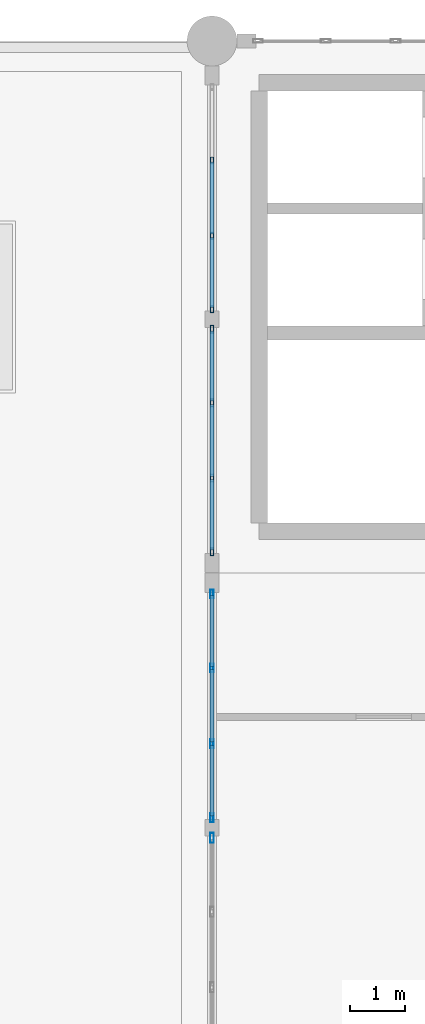
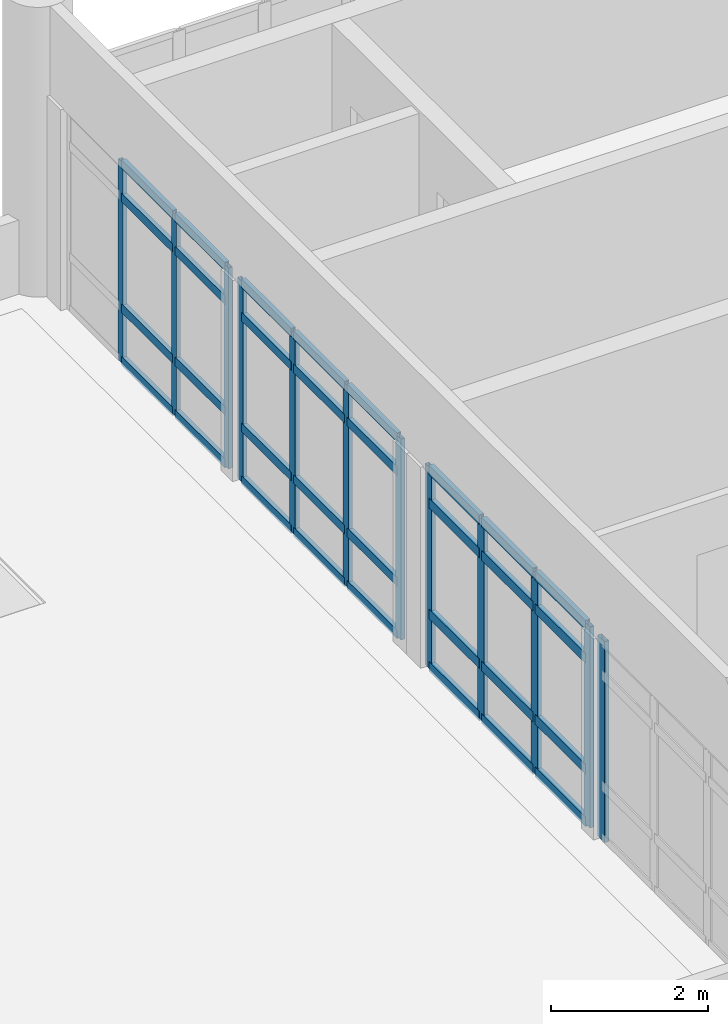
# One storey, part 4 of 37: 44 members, 4 elements without a shape of their own.
"""IFC4 building model written with IfcOpenShell, lengths in metres."""

import ifcopenshell
import ifcopenshell.guid

model = None  # the IFC model being written
_history = None  # IfcOwnerHistory: only IFC2X3 demands one
_inside = {}  # id of a spatial element -> (the spatial element, [elements in it])
_under = {}  # id of a project, library or spatial element -> (it, [spatial elements below it])
_declared = {}  # id of a project -> (the project, [libraries it declares])
_typed = {}  # id of a type object -> (the type object, [elements of that type])
_made_of = {}  # id of a material, layer set ... -> (it, [elements and type objects made of it])


def new_model(schema):
    """Start an empty IFC model of exactly this schema.

    Asked for "IFC4X3", IfcOpenShell would pick the latest addendum, in which some entities
    have other attributes; the version numbers below select the first issue.
    IFC2X3 requires an IfcOwnerHistory on every rooted entity: one is made here for all.
    """
    global model, _history
    if schema == "IFC4X3":
        model = ifcopenshell.file(schema_version=(4, 3, 0, 0))
    else:
        model = ifcopenshell.file(schema=schema)
    _inside.clear()
    _under.clear()
    _declared.clear()
    _typed.clear()
    _made_of.clear()
    _history = None
    if model.schema == "IFC2X3":
        org = make("IfcOrganization", Name="unknown")
        user = make(
            "IfcPersonAndOrganization",
            ThePerson=make("IfcPerson", FamilyName="unknown"),
            TheOrganization=org,
        )
        app = make(
            "IfcApplication",
            ApplicationDeveloper=org,
            Version="unknown",
            ApplicationFullName="unknown",
            ApplicationIdentifier="unknown",
        )
        _history = make(
            "IfcOwnerHistory",
            OwningUser=user,
            OwningApplication=app,
            ChangeAction="ADDED",
            CreationDate=0,
        )
    return model


def make(cls, **values):
    """One entity of the class cls with the attributes given. An attribute that is None is left unset."""
    return model.create_entity(
        cls, **{name: value for name, value in values.items() if value is not None}
    )


def rooted(cls, **values):
    """An entity with a GlobalId (a new one), such as an element, a storey or a relation."""
    return make(cls, GlobalId=ifcopenshell.guid.new(), OwnerHistory=_history, **values)


def si_unit(unit_type, name, prefix=None):
    """IfcSIUnit, for example si_unit("LENGTHUNIT", "METRE", prefix="MILLI")."""
    return make("IfcSIUnit", UnitType=unit_type, Prefix=prefix, Name=name)


def assignment(units):
    """IfcUnitAssignment: the units of a project."""
    return None if units is None else make("IfcUnitAssignment", Units=units)


def point(xyz):
    """IfcCartesianPoint."""
    return None if xyz is None else make("IfcCartesianPoint", Coordinates=xyz)


def direction(xyz):
    """IfcDirection."""
    return None if xyz is None else make("IfcDirection", DirectionRatios=xyz)


def frame(location, z_axis=None, x_axis=None):
    """IfcAxis2Placement3D, a coordinate frame: its origin and axes. An axis left out is left unset."""
    return make(
        "IfcAxis2Placement3D",
        Location=point(location),
        Axis=direction(z_axis),
        RefDirection=direction(x_axis),
    )


def frame_2d(location, x_axis=None):
    """IfcAxis2Placement2D, a coordinate frame in the plane: its origin and x axis."""
    return make(
        "IfcAxis2Placement2D", Location=point(location), RefDirection=direction(x_axis)
    )


def origin():
    """The frame at (0, 0, 0) with its axes left unset."""
    return frame((0.0, 0.0, 0.0))


def origin_2d():
    """The frame at (0, 0) in the plane with its x axis left unset."""
    return frame_2d((0.0, 0.0))


def place(relative_to, where):
    """IfcLocalPlacement: puts the frame where relative to a parent placement (None: the world)."""
    return make(
        "IfcLocalPlacement", PlacementRelTo=relative_to, RelativePlacement=where
    )


def context(
    kind, dimensions, precision=None, world=None, true_north=None, identifier=None
):
    """IfcGeometricRepresentationContext, for example the 3D "Model" context."""
    return make(
        "IfcGeometricRepresentationContext",
        ContextIdentifier=identifier,
        ContextType=kind,
        CoordinateSpaceDimension=dimensions,
        Precision=precision,
        WorldCoordinateSystem=world,
        TrueNorth=true_north,
    )


def subcontext(parent, identifier, kind, view, scale=None):
    """IfcGeometricRepresentationSubContext, for example "Body" below "Model"."""
    return make(
        "IfcGeometricRepresentationSubContext",
        ContextIdentifier=identifier,
        ContextType=kind,
        ParentContext=parent,
        TargetScale=scale,
        TargetView=view,
    )


def project(units=None, contexts=None):
    """IfcProject with its units and contexts."""
    return rooted(
        "IfcProject",
        Name="project",
        RepresentationContexts=contexts,
        UnitsInContext=assignment(units),
    )


def spatial(cls, under=None, at=None, **own):
    """A site, building, storey or space (cls), placed at a placement, below another one or the project."""
    s = rooted(cls, ObjectPlacement=at, **own)
    if under is not None:
        _under.setdefault(under.id(), (under, []))[1].append(s)
    return s


def profile(cls, at=None, kind="AREA", **sizes):
    """A parametric profile (cls). Its sizes go by their IFC names, for example OverallWidth=200.0."""
    return make(cls, ProfileType=kind, Position=at, **sizes)


def hollow_rectangle(**sizes):
    """IfcRectangleHollowProfileDef."""
    return profile("IfcRectangleHollowProfileDef", **sizes)


def extrude(swept, where, along, depth):
    """IfcExtrudedAreaSolid: the profile swept, set in the frame where, extruded along a direction by depth."""
    return make(
        "IfcExtrudedAreaSolid",
        SweptArea=swept,
        Position=where,
        ExtrudedDirection=direction(along),
        Depth=depth,
    )


def shape(context_of_items, identifier, shape_type, items):
    """IfcShapeRepresentation: the items that make up one representation, for example the "Body"."""
    return make(
        "IfcShapeRepresentation",
        ContextOfItems=context_of_items,
        RepresentationIdentifier=identifier,
        RepresentationType=shape_type,
        Items=items,
    )


def material(Name=None, Category=None):
    """IfcMaterial."""
    return make("IfcMaterial", Name=Name, Category=Category)


def layer(
    of_material, thickness, ventilated=None, Name=None, Category=None, Priority=None
):
    """IfcMaterialLayer: one layer of a wall or slab, of a material (None: an air gap)."""
    return make(
        "IfcMaterialLayer",
        Material=of_material,
        LayerThickness=thickness,
        IsVentilated=ventilated,
        Name=Name,
        Category=Category,
        Priority=Priority,
    )


def layer_set(layers, Name=None):
    """IfcMaterialLayerSet."""
    return make("IfcMaterialLayerSet", MaterialLayers=layers, LayerSetName=Name)


def material_profile(
    of_material, cross_section, Name=None, Category=None, Priority=None
):
    """IfcMaterialProfile: a cross section and its material."""
    return make(
        "IfcMaterialProfile",
        Name=Name,
        Material=of_material,
        Profile=cross_section,
        Priority=Priority,
        Category=Category,
    )


def profile_set(profiles, Name=None, composite=None):
    """IfcMaterialProfileSet."""
    return make(
        "IfcMaterialProfileSet",
        Name=Name,
        MaterialProfiles=profiles,
        CompositeProfile=composite,
    )


def made_of(thing, what):
    """Note that an element or type object is made of a material, layer set ...; save() writes the relation."""
    if what is not None:
        _made_of.setdefault(what.id(), (what, []))[1].append(thing)
    return thing


def type_object(cls, material=None, **own):
    """A type object (cls), such as IfcWallType, which elements share."""
    return made_of(rooted(cls, **own), material)


def element(
    cls,
    number,
    at=None,
    inside=None,
    cuts=None,
    type_object=None,
    material=None,
    context=None,
    identifier="Body",
    shape_type=None,
    held_by="IfcProductDefinitionShape",
    body=None,
    shapes=None,
    **own,
):
    """One element of the class cls, such as IfcWall. Its Tag is "e" and its number.

    at: its placement. inside: the storey or other place that contains it. cuts: it is an
    opening in that element (IfcRelVoidsElement). A single representation is given by context,
    identifier, shape_type and body (its items); several are given by shapes. held_by: the class
    of the entity that holds the representations. save() writes the other relations.
    """
    e = rooted(cls, Tag="e%d" % number, ObjectPlacement=at, **own)
    if body is not None:
        shapes = [shape(context, identifier, shape_type, body)]
    if shapes is not None:
        e.Representation = make(held_by, Representations=shapes)
    if inside is not None:
        _inside.setdefault(inside.id(), (inside, []))[1].append(e)
    if cuts is not None:
        rooted(
            "IfcRelVoidsElement", RelatingBuildingElement=cuts, RelatedOpeningElement=e
        )
    if type_object is not None:
        _typed.setdefault(type_object.id(), (type_object, []))[1].append(e)
    return made_of(e, material)


def aggregate(whole, parts):
    """IfcRelAggregates: a whole, such as a stair, and the parts it consists of."""
    return rooted("IfcRelAggregates", RelatingObject=whole, RelatedObjects=parts)


def save(model, path):
    """Write the relations noted so far, then the file.

    IfcRelAggregates (storeys below a building ...), IfcRelContainedInSpatialStructure (elements
    in a storey), IfcRelDefinesByType, IfcRelAssociatesMaterial and IfcRelDeclares: one each for
    every whole, place, type object, material and project.
    """
    for whole, parts in _under.values():
        aggregate(whole, parts)
    for where, things in _inside.values():
        rooted(
            "IfcRelContainedInSpatialStructure",
            RelatedElements=things,
            RelatingStructure=where,
        )
    for kind, things in _typed.values():
        rooted("IfcRelDefinesByType", RelatedObjects=things, RelatingType=kind)
    for what, things in _made_of.values():
        rooted("IfcRelAssociatesMaterial", RelatedObjects=things, RelatingMaterial=what)
    for by, libraries in _declared.values():
        rooted("IfcRelDeclares", RelatingContext=by, RelatedDefinitions=libraries)
    model.write(path)


model = new_model("IFC4")

# Units and contexts
model_context = context("Model", 3, precision=1e-05, world=origin(), true_north=direction((0.0, 1.0)))
body_context = subcontext(model_context, "Body", "Model", "MODEL_VIEW")
ifc_project = project(units=[si_unit("LENGTHUNIT", "METRE"), si_unit("AREAUNIT", "SQUARE_METRE"), si_unit("VOLUMEUNIT", "CUBIC_METRE"), si_unit("PLANEANGLEUNIT", "RADIAN"), si_unit("MASSUNIT", "GRAM", prefix="KILO")], contexts=[model_context])

# Site, building, storey
site_placement = place(None, origin())
site = spatial("IfcSite", under=ifc_project, at=site_placement, CompositionType="ELEMENT")
building_placement = place(site_placement, origin())
building = spatial("IfcBuilding", under=site, at=building_placement, Name="Fikremerkos Civic Library", CompositionType="ELEMENT")
storey_placement = place(building_placement, frame((0.0, 0.0, 23.39990234375)))
storey = spatial("IfcBuildingStorey", under=building, at=storey_placement, Name="L05", CompositionType="ELEMENT", Elevation=23.39990234375)

# Curtain wall, member
ifc_material = material(Name="Anodized aluminium Frame", Category="aluminium")
ifc_layer_1 = layer(ifc_material, 0.159912109375, Name="Anodized aluminium Frame")
ifc_layer_set_1 = layer_set([ifc_layer_1], Name="Anodized aluminium Frame")
curtain_wall_type_1 = type_object("IfcCurtainWallType", Name="Unitised curtain wall CW-01 3600x3600", PredefinedType="USERDEFINED", material=ifc_layer_set_1)
curtain_wall_1_placement = place(storey_placement, origin())
curtain_wall_1 = element("IfcCurtainWall", 1, at=curtain_wall_1_placement, inside=storey, type_object=curtain_wall_type_1, Name="Unitised curtain wall CW-01 L05 #253", ObjectType="UNITISED CURTAIN WALL", PredefinedType="USERDEFINED")
ifc_material_profile_1 = material_profile(ifc_material, hollow_rectangle(XDim=0.06494140625, YDim=0.179931640625, WallThickness=0.00439453125, at=origin_2d()), Name="ALU 180x65x4.5")
ifc_profile_set_1 = profile_set([ifc_material_profile_1], Name="Anodized aluminium Frame")
member_type_1 = type_object("IfcMemberType", Name="Curtain mullion CWM-01 ALU 180x65x4.5", PredefinedType="MULLION", material=ifc_profile_set_1)
member_1_placement = place(storey_placement, frame((19.199951171875, 16.8154296875, 0.0), z_axis=(0.0, 0.0, 1.0), x_axis=(-1.0, 0.0, 0.0)))
member_1 = element("IfcMember", 2, at=member_1_placement, type_object=member_type_1, Name="CW-01 mullion 4", PredefinedType="MULLION", context=body_context, shape_type="SweptSolid", body=[
    extrude(hollow_rectangle(XDim=0.06494140625, YDim=0.179931640625, WallThickness=0.00439453125, at=origin_2d()), origin(), (0.0, 0.0, 1.0), 3.1201171875),
])
aggregate(curtain_wall_1, [member_1])

# Curtain wall, members
ifc_layer_2 = layer(ifc_material, 0.159912109375, Name="Anodized aluminium Frame")
ifc_layer_set_2 = layer_set([ifc_layer_2], Name="Anodized aluminium Frame")
curtain_wall_type_2 = type_object("IfcCurtainWallType", Name="Unitised curtain wall CW-02 3900x3600", PredefinedType="USERDEFINED", material=ifc_layer_set_2)
curtain_wall_2_placement = place(storey_placement, origin())
curtain_wall_2 = element("IfcCurtainWall", 3, at=curtain_wall_2_placement, inside=storey, type_object=curtain_wall_type_2, Name="Unitised curtain wall CW-02 L05 #254", ObjectType="UNITISED CURTAIN WALL", PredefinedType="USERDEFINED")
ifc_material_profile_2 = material_profile(ifc_material, hollow_rectangle(XDim=0.06005859375, YDim=0.159912109375, WallThickness=0.00390625, at=origin_2d()), Name="ALU 160x60x4")
ifc_profile_set_2 = profile_set([ifc_material_profile_2], Name="Anodized aluminium Frame")
member_type_2 = type_object("IfcMemberType", Name="Curtain mullion CWM-02 ALU 160x60x4", PredefinedType="MULLION", material=ifc_profile_set_2)
member_2_placement = place(storey_placement, frame((19.199951171875, 17.177978515625, 0.0), z_axis=(0.0, 0.0, 1.0), x_axis=(-1.0, 0.0, 0.0)))
member_2 = element("IfcMember", 4, at=member_2_placement, type_object=member_type_2, Name="CW-02 mullion 1", PredefinedType="MULLION", context=body_context, shape_type="SweptSolid", body=[
    extrude(hollow_rectangle(XDim=0.06005859375, YDim=0.159912109375, WallThickness=0.00390625, at=origin_2d()), origin(), (0.0, 0.0, 1.0), 3.1201171875),
])
member_3_placement = place(storey_placement, frame((19.199951171875, 18.5146484375, 0.0), z_axis=(0.0, 0.0, 1.0), x_axis=(-1.0, 0.0, 0.0)))
member_3 = element("IfcMember", 5, at=member_3_placement, type_object=member_type_2, Name="CW-02 mullion 2", PredefinedType="MULLION", context=body_context, shape_type="SweptSolid", body=[
    extrude(hollow_rectangle(XDim=0.06005859375, YDim=0.159912109375, WallThickness=0.00390625, at=origin_2d()), origin(), (0.0, 0.0, 1.0), 3.1201171875),
])
member_4_placement = place(storey_placement, frame((19.199951171875, 19.88134765625, 0.0), z_axis=(0.0, 0.0, 1.0), x_axis=(-1.0, 0.0, 0.0)))
member_4 = element("IfcMember", 6, at=member_4_placement, type_object=member_type_2, Name="CW-02 mullion 3", PredefinedType="MULLION", context=body_context, shape_type="SweptSolid", body=[
    extrude(hollow_rectangle(XDim=0.06005859375, YDim=0.159912109375, WallThickness=0.00390625, at=origin_2d()), origin(), (0.0, 0.0, 1.0), 3.1201171875),
])
member_5_placement = place(storey_placement, frame((19.199951171875, 21.218017578125, 0.0), z_axis=(0.0, 0.0, 1.0), x_axis=(-1.0, 0.0, 0.0)))
member_5 = element("IfcMember", 7, at=member_5_placement, type_object=member_type_2, Name="CW-02 mullion 4", PredefinedType="MULLION", context=body_context, shape_type="SweptSolid", body=[
    extrude(hollow_rectangle(XDim=0.06005859375, YDim=0.159912109375, WallThickness=0.00390625, at=origin_2d()), origin(), (0.0, 0.0, 1.0), 3.1201171875),
])

ifc_layer_3 = layer(ifc_material, 0.159912109375, Name="Anodized aluminium Frame")
ifc_layer_set_3 = layer_set([ifc_layer_3], Name="Anodized aluminium Frame")
curtain_wall_type_3 = type_object("IfcCurtainWallType", Name="Unitised curtain wall CW-03 4100x3600", PredefinedType="USERDEFINED", material=ifc_layer_set_3)
curtain_wall_3_placement = place(storey_placement, origin())
curtain_wall_3 = element("IfcCurtainWall", 8, at=curtain_wall_3_placement, inside=storey, type_object=curtain_wall_type_3, Name="Unitised curtain wall CW-03 L05 #255", ObjectType="UNITISED CURTAIN WALL", PredefinedType="USERDEFINED")
ifc_material_profile_3 = material_profile(ifc_material, hollow_rectangle(XDim=0.06005859375, YDim=0.139892578125, WallThickness=0.00390625, at=origin_2d()), Name="ALU 140x60x4")
ifc_profile_set_3 = profile_set([ifc_material_profile_3], Name="Anodized aluminium Frame")
member_type_3 = type_object("IfcMemberType", Name="Curtain mullion CWM-03 ALU 140x60x4", PredefinedType="MULLION", material=ifc_profile_set_3)
member_6_placement = place(storey_placement, frame((19.199951171875, 21.98193359375, 0.0), z_axis=(0.0, 0.0, 1.0), x_axis=(-1.0, 0.0, 0.0)))
member_6 = element("IfcMember", 9, at=member_6_placement, type_object=member_type_3, Name="CW-03 mullion 1", PredefinedType="MULLION", context=body_context, shape_type="SweptSolid", body=[
    extrude(hollow_rectangle(XDim=0.06005859375, YDim=0.139892578125, WallThickness=0.00390625, at=origin_2d()), origin(), (0.0, 0.0, 1.0), 3.1201171875),
])
member_7_placement = place(storey_placement, frame((19.199951171875, 23.310302734375, 0.0), z_axis=(0.0, 0.0, 1.0), x_axis=(-1.0, 0.0, 0.0)))
member_7 = element("IfcMember", 10, at=member_7_placement, type_object=member_type_3, Name="CW-03 mullion 2", PredefinedType="MULLION", context=body_context, shape_type="SweptSolid", body=[
    extrude(hollow_rectangle(XDim=0.06005859375, YDim=0.139892578125, WallThickness=0.00390625, at=origin_2d()), origin(), (0.0, 0.0, 1.0), 3.1201171875),
])
member_8_placement = place(storey_placement, frame((19.199951171875, 24.668701171875, 0.0), z_axis=(0.0, 0.0, 1.0), x_axis=(-1.0, 0.0, 0.0)))
member_8 = element("IfcMember", 11, at=member_8_placement, type_object=member_type_3, Name="CW-03 mullion 3", PredefinedType="MULLION", context=body_context, shape_type="SweptSolid", body=[
    extrude(hollow_rectangle(XDim=0.06005859375, YDim=0.139892578125, WallThickness=0.00390625, at=origin_2d()), origin(), (0.0, 0.0, 1.0), 3.1201171875),
])
member_9_placement = place(storey_placement, frame((19.199951171875, 25.9970703125, 0.0), z_axis=(0.0, 0.0, 1.0), x_axis=(-1.0, 0.0, 0.0)))
member_9 = element("IfcMember", 12, at=member_9_placement, type_object=member_type_3, Name="CW-03 mullion 4", PredefinedType="MULLION", context=body_context, shape_type="SweptSolid", body=[
    extrude(hollow_rectangle(XDim=0.06005859375, YDim=0.139892578125, WallThickness=0.00390625, at=origin_2d()), origin(), (0.0, 0.0, 1.0), 3.1201171875),
])

ifc_layer_4 = layer(ifc_material, 0.159912109375, Name="Anodized aluminium Frame")
ifc_layer_set_4 = layer_set([ifc_layer_4], Name="Anodized aluminium Frame")
curtain_wall_type_4 = type_object("IfcCurtainWallType", Name="Unitised curtain wall CW-04 3400x3600", PredefinedType="USERDEFINED", material=ifc_layer_set_4)
curtain_wall_4_placement = place(storey_placement, origin())
curtain_wall_4 = element("IfcCurtainWall", 13, at=curtain_wall_4_placement, inside=storey, type_object=curtain_wall_type_4, Name="Unitised curtain wall CW-04 L05 #256", ObjectType="UNITISED CURTAIN WALL", PredefinedType="USERDEFINED")
ifc_material_profile_4 = material_profile(ifc_material, hollow_rectangle(XDim=0.06005859375, YDim=0.1201171875, WallThickness=0.00390625, at=origin_2d()), Name="ALU 120x60x4")
ifc_profile_set_4 = profile_set([ifc_material_profile_4], Name="Anodized aluminium Frame")
member_type_4 = type_object("IfcMemberType", Name="Curtain mullion CWM-04 ALU 120x60x4", PredefinedType="MULLION", material=ifc_profile_set_4)
member_10_placement = place(storey_placement, frame((19.199951171875, 26.35693359375, 0.0), z_axis=(0.0, 0.0, 1.0), x_axis=(-1.0, 0.0, 0.0)))
member_10 = element("IfcMember", 14, at=member_10_placement, type_object=member_type_4, Name="CW-04 mullion 1", PredefinedType="MULLION", context=body_context, shape_type="SweptSolid", body=[
    extrude(hollow_rectangle(XDim=0.06005859375, YDim=0.1201171875, WallThickness=0.00390625, at=origin_2d()), origin(), (0.0, 0.0, 1.0), 3.1201171875),
])
member_11_placement = place(storey_placement, frame((19.199951171875, 27.685302734375, 0.0), z_axis=(0.0, 0.0, 1.0), x_axis=(-1.0, 0.0, 0.0)))
member_11 = element("IfcMember", 15, at=member_11_placement, type_object=member_type_4, Name="CW-04 mullion 2", PredefinedType="MULLION", context=body_context, shape_type="SweptSolid", body=[
    extrude(hollow_rectangle(XDim=0.06005859375, YDim=0.1201171875, WallThickness=0.00390625, at=origin_2d()), origin(), (0.0, 0.0, 1.0), 3.1201171875),
])
member_12_placement = place(storey_placement, frame((19.199951171875, 29.043701171875, 0.0), z_axis=(0.0, 0.0, 1.0), x_axis=(-1.0, 0.0, 0.0)))
member_12 = element("IfcMember", 16, at=member_12_placement, type_object=member_type_4, Name="CW-04 mullion 3", PredefinedType="MULLION", context=body_context, shape_type="SweptSolid", body=[
    extrude(hollow_rectangle(XDim=0.06005859375, YDim=0.1201171875, WallThickness=0.00390625, at=origin_2d()), origin(), (0.0, 0.0, 1.0), 3.1201171875),
])

# Member
ifc_material_profile_5 = material_profile(ifc_material, hollow_rectangle(XDim=0.070068359375, YDim=0.14990234375, WallThickness=0.00439453125, at=origin_2d()), Name="ALU 150x70x4.5")
ifc_profile_set_5 = profile_set([ifc_material_profile_5], Name="Anodized aluminium Frame")
member_type_5 = type_object("IfcMemberType", Name="Curtain transom CWT-01 ALU 150x70x4.5", PredefinedType="USERDEFINED", material=ifc_profile_set_5)
member_13_placement = place(storey_placement, frame((19.199951171875, 17.2080078125, 0.03515625), z_axis=(0.0, 1.0, 0.0), x_axis=(-1.0, 0.0, 0.0)))
member_13 = element("IfcMember", 17, at=member_13_placement, type_object=member_type_5, Name="CW-02 transom 1.1", ObjectType="TRANSOM", PredefinedType="USERDEFINED", context=body_context, shape_type="SweptSolid", body=[
    extrude(hollow_rectangle(XDim=0.070068359375, YDim=0.14990234375, WallThickness=0.00439453125, at=origin_2d()), origin(), (0.0, 0.0, 1.0), 1.276611328125),
])

member_14_placement = place(storey_placement, frame((19.199951171875, 17.2080078125, 0.85009765625), z_axis=(0.0, 1.0, 0.0), x_axis=(-1.0, 0.0, 0.0)))
member_14 = element("IfcMember", 18, at=member_14_placement, type_object=member_type_5, Name="CW-02 transom 1.2", ObjectType="TRANSOM", PredefinedType="USERDEFINED", context=body_context, shape_type="SweptSolid", body=[
    extrude(hollow_rectangle(XDim=0.070068359375, YDim=0.14990234375, WallThickness=0.00439453125, at=origin_2d()), origin(), (0.0, 0.0, 1.0), 1.276611328125),
])

member_15_placement = place(storey_placement, frame((19.199951171875, 17.2080078125, 2.570068359375), z_axis=(0.0, 1.0, 0.0), x_axis=(-1.0, 0.0, 0.0)))
member_15 = element("IfcMember", 19, at=member_15_placement, type_object=member_type_5, Name="CW-02 transom 1.3", ObjectType="TRANSOM", PredefinedType="USERDEFINED", context=body_context, shape_type="SweptSolid", body=[
    extrude(hollow_rectangle(XDim=0.070068359375, YDim=0.14990234375, WallThickness=0.00439453125, at=origin_2d()), origin(), (0.0, 0.0, 1.0), 1.276611328125),
])

member_16_placement = place(storey_placement, frame((19.199951171875, 17.2080078125, 3.085205078125), z_axis=(0.0, 1.0, 0.0), x_axis=(-1.0, 0.0, 0.0)))
member_16 = element("IfcMember", 20, at=member_16_placement, type_object=member_type_5, Name="CW-02 transom 1.4", ObjectType="TRANSOM", PredefinedType="USERDEFINED", context=body_context, shape_type="SweptSolid", body=[
    extrude(hollow_rectangle(XDim=0.070068359375, YDim=0.14990234375, WallThickness=0.00439453125, at=origin_2d()), origin(), (0.0, 0.0, 1.0), 1.276611328125),
])

member_17_placement = place(storey_placement, frame((19.199951171875, 18.544677734375, 0.03515625), z_axis=(0.0, 1.0, 0.0), x_axis=(-1.0, 0.0, 0.0)))
member_17 = element("IfcMember", 21, at=member_17_placement, type_object=member_type_5, Name="CW-02 transom 2.1", ObjectType="TRANSOM", PredefinedType="USERDEFINED", context=body_context, shape_type="SweptSolid", body=[
    extrude(hollow_rectangle(XDim=0.070068359375, YDim=0.14990234375, WallThickness=0.00439453125, at=origin_2d()), origin(), (0.0, 0.0, 1.0), 1.306640625),
])

member_18_placement = place(storey_placement, frame((19.199951171875, 18.544677734375, 0.85009765625), z_axis=(0.0, 1.0, 0.0), x_axis=(-1.0, 0.0, 0.0)))
member_18 = element("IfcMember", 22, at=member_18_placement, type_object=member_type_5, Name="CW-02 transom 2.2", ObjectType="TRANSOM", PredefinedType="USERDEFINED", context=body_context, shape_type="SweptSolid", body=[
    extrude(hollow_rectangle(XDim=0.070068359375, YDim=0.14990234375, WallThickness=0.00439453125, at=origin_2d()), origin(), (0.0, 0.0, 1.0), 1.306640625),
])

member_19_placement = place(storey_placement, frame((19.199951171875, 18.544677734375, 2.570068359375), z_axis=(0.0, 1.0, 0.0), x_axis=(-1.0, 0.0, 0.0)))
member_19 = element("IfcMember", 23, at=member_19_placement, type_object=member_type_5, Name="CW-02 transom 2.3", ObjectType="TRANSOM", PredefinedType="USERDEFINED", context=body_context, shape_type="SweptSolid", body=[
    extrude(hollow_rectangle(XDim=0.070068359375, YDim=0.14990234375, WallThickness=0.00439453125, at=origin_2d()), origin(), (0.0, 0.0, 1.0), 1.306640625),
])

member_20_placement = place(storey_placement, frame((19.199951171875, 18.544677734375, 3.085205078125), z_axis=(0.0, 1.0, 0.0), x_axis=(-1.0, 0.0, 0.0)))
member_20 = element("IfcMember", 24, at=member_20_placement, type_object=member_type_5, Name="CW-02 transom 2.4", ObjectType="TRANSOM", PredefinedType="USERDEFINED", context=body_context, shape_type="SweptSolid", body=[
    extrude(hollow_rectangle(XDim=0.070068359375, YDim=0.14990234375, WallThickness=0.00439453125, at=origin_2d()), origin(), (0.0, 0.0, 1.0), 1.306640625),
])

member_21_placement = place(storey_placement, frame((19.199951171875, 19.911376953125, 0.03515625), z_axis=(0.0, 1.0, 0.0), x_axis=(-1.0, 0.0, 0.0)))
member_21 = element("IfcMember", 25, at=member_21_placement, type_object=member_type_5, Name="CW-02 transom 3.1", ObjectType="TRANSOM", PredefinedType="USERDEFINED", context=body_context, shape_type="SweptSolid", body=[
    extrude(hollow_rectangle(XDim=0.070068359375, YDim=0.14990234375, WallThickness=0.00439453125, at=origin_2d()), origin(), (0.0, 0.0, 1.0), 1.276611328125),
])

member_22_placement = place(storey_placement, frame((19.199951171875, 19.911376953125, 0.85009765625), z_axis=(0.0, 1.0, 0.0), x_axis=(-1.0, 0.0, 0.0)))
member_22 = element("IfcMember", 26, at=member_22_placement, type_object=member_type_5, Name="CW-02 transom 3.2", ObjectType="TRANSOM", PredefinedType="USERDEFINED", context=body_context, shape_type="SweptSolid", body=[
    extrude(hollow_rectangle(XDim=0.070068359375, YDim=0.14990234375, WallThickness=0.00439453125, at=origin_2d()), origin(), (0.0, 0.0, 1.0), 1.276611328125),
])

member_23_placement = place(storey_placement, frame((19.199951171875, 19.911376953125, 2.570068359375), z_axis=(0.0, 1.0, 0.0), x_axis=(-1.0, 0.0, 0.0)))
member_23 = element("IfcMember", 27, at=member_23_placement, type_object=member_type_5, Name="CW-02 transom 3.3", ObjectType="TRANSOM", PredefinedType="USERDEFINED", context=body_context, shape_type="SweptSolid", body=[
    extrude(hollow_rectangle(XDim=0.070068359375, YDim=0.14990234375, WallThickness=0.00439453125, at=origin_2d()), origin(), (0.0, 0.0, 1.0), 1.276611328125),
])

member_24_placement = place(storey_placement, frame((19.199951171875, 19.911376953125, 3.085205078125), z_axis=(0.0, 1.0, 0.0), x_axis=(-1.0, 0.0, 0.0)))
member_24 = element("IfcMember", 28, at=member_24_placement, type_object=member_type_5, Name="CW-02 transom 3.4", ObjectType="TRANSOM", PredefinedType="USERDEFINED", context=body_context, shape_type="SweptSolid", body=[
    extrude(hollow_rectangle(XDim=0.070068359375, YDim=0.14990234375, WallThickness=0.00439453125, at=origin_2d()), origin(), (0.0, 0.0, 1.0), 1.276611328125),
])

aggregate(curtain_wall_2, [member_2, member_3, member_4, member_5, member_13, member_14, member_15, member_16, member_17, member_18, member_19, member_20, member_21, member_22, member_23, member_24])

ifc_material_profile_6 = material_profile(ifc_material, hollow_rectangle(XDim=0.06494140625, YDim=0.135009765625, WallThickness=0.00439453125, at=origin_2d()), Name="ALU 135x65x4.5")
ifc_profile_set_6 = profile_set([ifc_material_profile_6], Name="Anodized aluminium Frame")
member_type_6 = type_object("IfcMemberType", Name="Curtain transom CWT-02 ALU 135x65x4.5", PredefinedType="USERDEFINED", material=ifc_profile_set_6)
member_25_placement = place(storey_placement, frame((19.199951171875, 22.011962890625, 0.03271484375), z_axis=(0.0, 1.0, 0.0), x_axis=(-1.0, 0.0, 0.0)))
member_25 = element("IfcMember", 29, at=member_25_placement, type_object=member_type_6, Name="CW-03 transom 1.1", ObjectType="TRANSOM", PredefinedType="USERDEFINED", context=body_context, shape_type="SweptSolid", body=[
    extrude(hollow_rectangle(XDim=0.06494140625, YDim=0.135009765625, WallThickness=0.00439453125, at=origin_2d()), origin(), (0.0, 0.0, 1.0), 1.268310546875),
])

member_26_placement = place(storey_placement, frame((19.199951171875, 22.011962890625, 0.85009765625), z_axis=(0.0, 1.0, 0.0), x_axis=(-1.0, 0.0, 0.0)))
member_26 = element("IfcMember", 30, at=member_26_placement, type_object=member_type_6, Name="CW-03 transom 1.2", ObjectType="TRANSOM", PredefinedType="USERDEFINED", context=body_context, shape_type="SweptSolid", body=[
    extrude(hollow_rectangle(XDim=0.06494140625, YDim=0.135009765625, WallThickness=0.00439453125, at=origin_2d()), origin(), (0.0, 0.0, 1.0), 1.268310546875),
])

member_27_placement = place(storey_placement, frame((19.199951171875, 22.011962890625, 2.570068359375), z_axis=(0.0, 1.0, 0.0), x_axis=(-1.0, 0.0, 0.0)))
member_27 = element("IfcMember", 31, at=member_27_placement, type_object=member_type_6, Name="CW-03 transom 1.3", ObjectType="TRANSOM", PredefinedType="USERDEFINED", context=body_context, shape_type="SweptSolid", body=[
    extrude(hollow_rectangle(XDim=0.06494140625, YDim=0.135009765625, WallThickness=0.00439453125, at=origin_2d()), origin(), (0.0, 0.0, 1.0), 1.268310546875),
])

member_28_placement = place(storey_placement, frame((19.199951171875, 22.011962890625, 3.087646484375), z_axis=(0.0, 1.0, 0.0), x_axis=(-1.0, 0.0, 0.0)))
member_28 = element("IfcMember", 32, at=member_28_placement, type_object=member_type_6, Name="CW-03 transom 1.4", ObjectType="TRANSOM", PredefinedType="USERDEFINED", context=body_context, shape_type="SweptSolid", body=[
    extrude(hollow_rectangle(XDim=0.06494140625, YDim=0.135009765625, WallThickness=0.00439453125, at=origin_2d()), origin(), (0.0, 0.0, 1.0), 1.268310546875),
])

member_29_placement = place(storey_placement, frame((19.199951171875, 23.34033203125, 0.03271484375), z_axis=(0.0, 1.0, 0.0), x_axis=(-1.0, 0.0, 0.0)))
member_29 = element("IfcMember", 33, at=member_29_placement, type_object=member_type_6, Name="CW-03 transom 2.1", ObjectType="TRANSOM", PredefinedType="USERDEFINED", context=body_context, shape_type="SweptSolid", body=[
    extrude(hollow_rectangle(XDim=0.06494140625, YDim=0.135009765625, WallThickness=0.00439453125, at=origin_2d()), origin(), (0.0, 0.0, 1.0), 1.29833984375),
])

member_30_placement = place(storey_placement, frame((19.199951171875, 23.34033203125, 0.85009765625), z_axis=(0.0, 1.0, 0.0), x_axis=(-1.0, 0.0, 0.0)))
member_30 = element("IfcMember", 34, at=member_30_placement, type_object=member_type_6, Name="CW-03 transom 2.2", ObjectType="TRANSOM", PredefinedType="USERDEFINED", context=body_context, shape_type="SweptSolid", body=[
    extrude(hollow_rectangle(XDim=0.06494140625, YDim=0.135009765625, WallThickness=0.00439453125, at=origin_2d()), origin(), (0.0, 0.0, 1.0), 1.29833984375),
])

member_31_placement = place(storey_placement, frame((19.199951171875, 23.34033203125, 2.570068359375), z_axis=(0.0, 1.0, 0.0), x_axis=(-1.0, 0.0, 0.0)))
member_31 = element("IfcMember", 35, at=member_31_placement, type_object=member_type_6, Name="CW-03 transom 2.3", ObjectType="TRANSOM", PredefinedType="USERDEFINED", context=body_context, shape_type="SweptSolid", body=[
    extrude(hollow_rectangle(XDim=0.06494140625, YDim=0.135009765625, WallThickness=0.00439453125, at=origin_2d()), origin(), (0.0, 0.0, 1.0), 1.29833984375),
])

member_32_placement = place(storey_placement, frame((19.199951171875, 23.34033203125, 3.087646484375), z_axis=(0.0, 1.0, 0.0), x_axis=(-1.0, 0.0, 0.0)))
member_32 = element("IfcMember", 36, at=member_32_placement, type_object=member_type_6, Name="CW-03 transom 2.4", ObjectType="TRANSOM", PredefinedType="USERDEFINED", context=body_context, shape_type="SweptSolid", body=[
    extrude(hollow_rectangle(XDim=0.06494140625, YDim=0.135009765625, WallThickness=0.00439453125, at=origin_2d()), origin(), (0.0, 0.0, 1.0), 1.29833984375),
])

member_33_placement = place(storey_placement, frame((19.199951171875, 24.69873046875, 0.03271484375), z_axis=(0.0, 1.0, 0.0), x_axis=(-1.0, 0.0, 0.0)))
member_33 = element("IfcMember", 37, at=member_33_placement, type_object=member_type_6, Name="CW-03 transom 3.1", ObjectType="TRANSOM", PredefinedType="USERDEFINED", context=body_context, shape_type="SweptSolid", body=[
    extrude(hollow_rectangle(XDim=0.06494140625, YDim=0.135009765625, WallThickness=0.00439453125, at=origin_2d()), origin(), (0.0, 0.0, 1.0), 1.268310546875),
])

member_34_placement = place(storey_placement, frame((19.199951171875, 24.69873046875, 0.85009765625), z_axis=(0.0, 1.0, 0.0), x_axis=(-1.0, 0.0, 0.0)))
member_34 = element("IfcMember", 38, at=member_34_placement, type_object=member_type_6, Name="CW-03 transom 3.2", ObjectType="TRANSOM", PredefinedType="USERDEFINED", context=body_context, shape_type="SweptSolid", body=[
    extrude(hollow_rectangle(XDim=0.06494140625, YDim=0.135009765625, WallThickness=0.00439453125, at=origin_2d()), origin(), (0.0, 0.0, 1.0), 1.268310546875),
])

member_35_placement = place(storey_placement, frame((19.199951171875, 24.69873046875, 2.570068359375), z_axis=(0.0, 1.0, 0.0), x_axis=(-1.0, 0.0, 0.0)))
member_35 = element("IfcMember", 39, at=member_35_placement, type_object=member_type_6, Name="CW-03 transom 3.3", ObjectType="TRANSOM", PredefinedType="USERDEFINED", context=body_context, shape_type="SweptSolid", body=[
    extrude(hollow_rectangle(XDim=0.06494140625, YDim=0.135009765625, WallThickness=0.00439453125, at=origin_2d()), origin(), (0.0, 0.0, 1.0), 1.268310546875),
])

member_36_placement = place(storey_placement, frame((19.199951171875, 24.69873046875, 3.087646484375), z_axis=(0.0, 1.0, 0.0), x_axis=(-1.0, 0.0, 0.0)))
member_36 = element("IfcMember", 40, at=member_36_placement, type_object=member_type_6, Name="CW-03 transom 3.4", ObjectType="TRANSOM", PredefinedType="USERDEFINED", context=body_context, shape_type="SweptSolid", body=[
    extrude(hollow_rectangle(XDim=0.06494140625, YDim=0.135009765625, WallThickness=0.00439453125, at=origin_2d()), origin(), (0.0, 0.0, 1.0), 1.268310546875),
])

aggregate(curtain_wall_3, [member_6, member_7, member_8, member_9, member_25, member_26, member_27, member_28, member_29, member_30, member_31, member_32, member_33, member_34, member_35, member_36])

member_37_placement = place(storey_placement, frame((19.199951171875, 26.386962890625, 0.03271484375), z_axis=(0.0, 1.0, 0.0), x_axis=(-1.0, 0.0, 0.0)))
member_37 = element("IfcMember", 41, at=member_37_placement, type_object=member_type_6, Name="CW-04 transom 1.1", ObjectType="TRANSOM", PredefinedType="USERDEFINED", context=body_context, shape_type="SweptSolid", body=[
    extrude(hollow_rectangle(XDim=0.06494140625, YDim=0.135009765625, WallThickness=0.00439453125, at=origin_2d()), origin(), (0.0, 0.0, 1.0), 1.268310546875),
])

member_38_placement = place(storey_placement, frame((19.199951171875, 26.386962890625, 0.85009765625), z_axis=(0.0, 1.0, 0.0), x_axis=(-1.0, 0.0, 0.0)))
member_38 = element("IfcMember", 42, at=member_38_placement, type_object=member_type_6, Name="CW-04 transom 1.2", ObjectType="TRANSOM", PredefinedType="USERDEFINED", context=body_context, shape_type="SweptSolid", body=[
    extrude(hollow_rectangle(XDim=0.06494140625, YDim=0.135009765625, WallThickness=0.00439453125, at=origin_2d()), origin(), (0.0, 0.0, 1.0), 1.268310546875),
])

member_39_placement = place(storey_placement, frame((19.199951171875, 26.386962890625, 2.570068359375), z_axis=(0.0, 1.0, 0.0), x_axis=(-1.0, 0.0, 0.0)))
member_39 = element("IfcMember", 43, at=member_39_placement, type_object=member_type_6, Name="CW-04 transom 1.3", ObjectType="TRANSOM", PredefinedType="USERDEFINED", context=body_context, shape_type="SweptSolid", body=[
    extrude(hollow_rectangle(XDim=0.06494140625, YDim=0.135009765625, WallThickness=0.00439453125, at=origin_2d()), origin(), (0.0, 0.0, 1.0), 1.268310546875),
])

member_40_placement = place(storey_placement, frame((19.199951171875, 26.386962890625, 3.087646484375), z_axis=(0.0, 1.0, 0.0), x_axis=(-1.0, 0.0, 0.0)))
member_40 = element("IfcMember", 44, at=member_40_placement, type_object=member_type_6, Name="CW-04 transom 1.4", ObjectType="TRANSOM", PredefinedType="USERDEFINED", context=body_context, shape_type="SweptSolid", body=[
    extrude(hollow_rectangle(XDim=0.06494140625, YDim=0.135009765625, WallThickness=0.00439453125, at=origin_2d()), origin(), (0.0, 0.0, 1.0), 1.268310546875),
])

member_41_placement = place(storey_placement, frame((19.199951171875, 27.71533203125, 0.03271484375), z_axis=(0.0, 1.0, 0.0), x_axis=(-1.0, 0.0, 0.0)))
member_41 = element("IfcMember", 45, at=member_41_placement, type_object=member_type_6, Name="CW-04 transom 2.1", ObjectType="TRANSOM", PredefinedType="USERDEFINED", context=body_context, shape_type="SweptSolid", body=[
    extrude(hollow_rectangle(XDim=0.06494140625, YDim=0.135009765625, WallThickness=0.00439453125, at=origin_2d()), origin(), (0.0, 0.0, 1.0), 1.29833984375),
])

member_42_placement = place(storey_placement, frame((19.199951171875, 27.71533203125, 0.85009765625), z_axis=(0.0, 1.0, 0.0), x_axis=(-1.0, 0.0, 0.0)))
member_42 = element("IfcMember", 46, at=member_42_placement, type_object=member_type_6, Name="CW-04 transom 2.2", ObjectType="TRANSOM", PredefinedType="USERDEFINED", context=body_context, shape_type="SweptSolid", body=[
    extrude(hollow_rectangle(XDim=0.06494140625, YDim=0.135009765625, WallThickness=0.00439453125, at=origin_2d()), origin(), (0.0, 0.0, 1.0), 1.29833984375),
])

member_43_placement = place(storey_placement, frame((19.199951171875, 27.71533203125, 2.570068359375), z_axis=(0.0, 1.0, 0.0), x_axis=(-1.0, 0.0, 0.0)))
member_43 = element("IfcMember", 47, at=member_43_placement, type_object=member_type_6, Name="CW-04 transom 2.3", ObjectType="TRANSOM", PredefinedType="USERDEFINED", context=body_context, shape_type="SweptSolid", body=[
    extrude(hollow_rectangle(XDim=0.06494140625, YDim=0.135009765625, WallThickness=0.00439453125, at=origin_2d()), origin(), (0.0, 0.0, 1.0), 1.29833984375),
])

member_44_placement = place(storey_placement, frame((19.199951171875, 27.71533203125, 3.087646484375), z_axis=(0.0, 1.0, 0.0), x_axis=(-1.0, 0.0, 0.0)))
member_44 = element("IfcMember", 48, at=member_44_placement, type_object=member_type_6, Name="CW-04 transom 2.4", ObjectType="TRANSOM", PredefinedType="USERDEFINED", context=body_context, shape_type="SweptSolid", body=[
    extrude(hollow_rectangle(XDim=0.06494140625, YDim=0.135009765625, WallThickness=0.00439453125, at=origin_2d()), origin(), (0.0, 0.0, 1.0), 1.29833984375),
])

aggregate(curtain_wall_4, [member_10, member_11, member_12, member_37, member_38, member_39, member_40, member_41, member_42, member_43, member_44])

save(model, "model.ifc")
